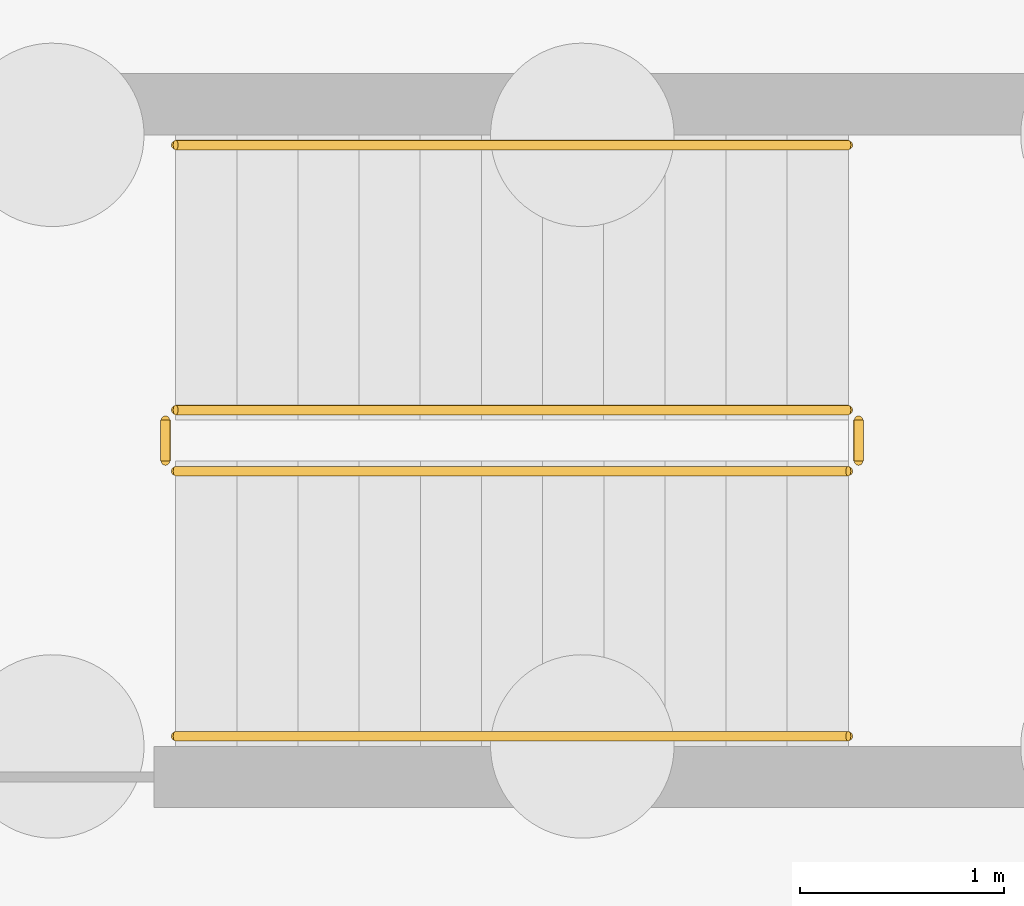
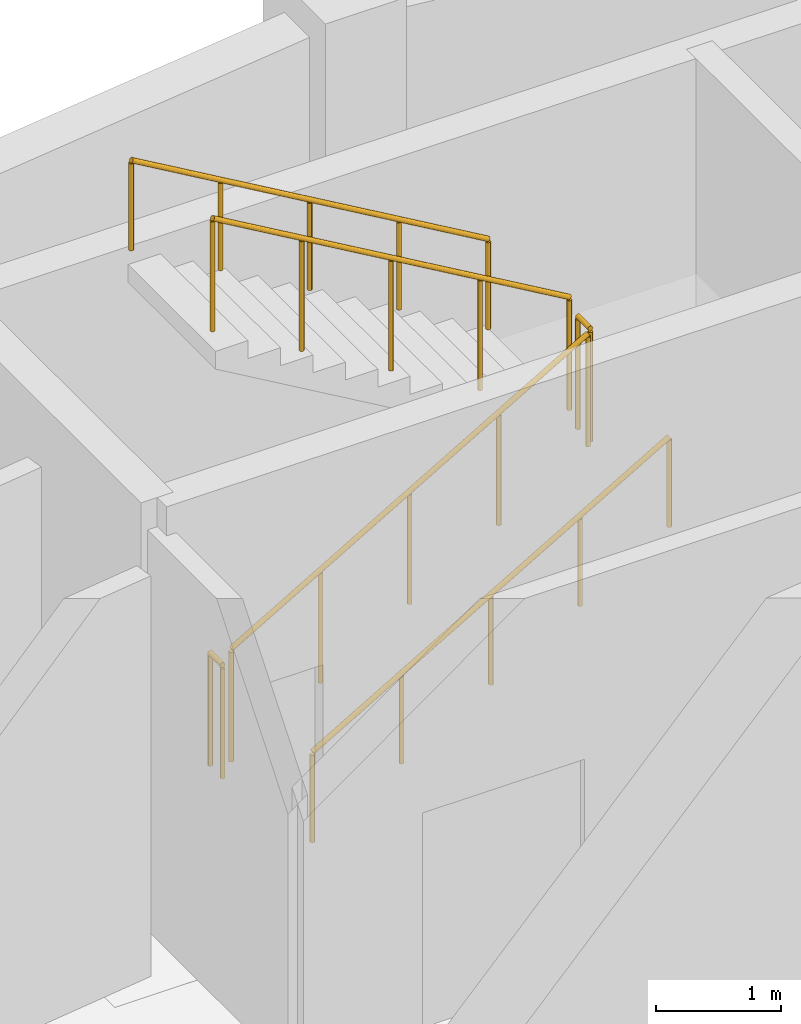
# One storey, part 40 of 43: 6 railings.
"""IFC4 building model written with IfcOpenShell, lengths in metres."""

from ifc_helpers import new_model, si_unit, direction, frame, origin, origin_2d, place, context, subcontext, project, spatial, circle, extrude, material, type_object, element, save


model = new_model("IFC4")

# Units and contexts
model_context = context("Model", 3, precision=1e-05, world=origin(), true_north=direction((0.0, 1.0)))
body_context = subcontext(model_context, "Body", "Model", "MODEL_VIEW")
ifc_project = project(units=[si_unit("LENGTHUNIT", "METRE"), si_unit("AREAUNIT", "SQUARE_METRE"), si_unit("VOLUMEUNIT", "CUBIC_METRE"), si_unit("PLANEANGLEUNIT", "RADIAN"), si_unit("MASSUNIT", "GRAM", prefix="KILO")], contexts=[model_context])

# Site, building, storey
site_placement = place(None, origin())
site = spatial("IfcSite", under=ifc_project, at=site_placement, CompositionType="ELEMENT")
building_placement = place(site_placement, origin())
building = spatial("IfcBuilding", under=site, at=building_placement, Name="Vespera Passage Community Centre", CompositionType="ELEMENT")
storey_placement = place(building_placement, frame((0.0, 0.0, -4.199951171875)))
storey = spatial("IfcBuildingStorey", under=building, at=storey_placement, Name="B1", CompositionType="ELEMENT", Elevation=-4.199951171875)

# Railings
ifc_material_1 = material(Name="Steel ASTM A500 Grade C", Category="steel")
railing_type_1 = type_object("IfcRailingType", Name="RL-HAND-900I", PredefinedType="HANDRAIL", material=ifc_material_1)
railing_1_placement = place(storey_placement, frame((74.705078125, 106.25, 0.175048828125)))
element("IfcRailing", 1, at=railing_1_placement, inside=storey, type_object=railing_type_1, Name="B1 ST06 stair handrail 1", PredefinedType="HANDRAIL", context=body_context, shape_type="SweptSolid", body=[
    extrude(circle(Radius=0.02392578125, at=origin_2d()), frame((0.0, 0.0, 0.8759765625), z_axis=(0.863788172461, 0.0, 0.503855131081), x_axis=(0.0, 1.0, 0.0)), (0.0, 0.0, 1.0), 3.820068359375),
    extrude(circle(Radius=0.02099609375, at=origin_2d()), origin(), (0.0, 0.0, 1.0), 0.851806640625),
    extrude(circle(Radius=0.02099609375, at=origin_2d()), frame((0.824951171875, 0.0, 0.481201171875)), (0.0, 0.0, 1.0), 0.851806640625),
    extrude(circle(Radius=0.02099609375, at=origin_2d()), frame((1.64990234375, 0.0, 0.96240234375)), (0.0, 0.0, 1.0), 0.851806640625),
    extrude(circle(Radius=0.02099609375, at=origin_2d()), frame((2.474853515625, 0.0, 1.443603515625)), (0.0, 0.0, 1.0), 0.851806640625),
    extrude(circle(Radius=0.02099609375, at=origin_2d()), frame((3.2998046875, 0.0, 1.9248046875)), (0.0, 0.0, 1.0), 0.851806640625),
])
railing_2_placement = place(storey_placement, frame((78.0048828125, 109.14990234375, 2.27490234375)))
element("IfcRailing", 2, at=railing_2_placement, inside=storey, type_object=railing_type_1, Name="B1 ST06 stair handrail 2", PredefinedType="HANDRAIL", context=body_context, shape_type="SweptSolid", body=[
    extrude(circle(Radius=0.02392578125, at=origin_2d()), frame((0.0, 0.0, 0.8759765625), z_axis=(-0.863760357493, 0.0, 0.503902812876), x_axis=(0.0, -1.0, 0.0)), (0.0, 0.0, 1.0), 3.8203125),
    extrude(circle(Radius=0.02099609375, at=origin_2d()), origin(), (0.0, 0.0, 1.0), 0.851806640625),
    extrude(circle(Radius=0.02099609375, at=origin_2d()), frame((-0.824951171875, 0.0, 0.481201171875)), (0.0, 0.0, 1.0), 0.851806640625),
    extrude(circle(Radius=0.02099609375, at=origin_2d()), frame((-1.64990234375, 0.0, 0.96240234375)), (0.0, 0.0, 1.0), 0.851806640625),
    extrude(circle(Radius=0.02099609375, at=origin_2d()), frame((-2.474853515625, 0.0, 1.44384765625)), (0.0, 0.0, 1.0), 0.851806640625),
    extrude(circle(Radius=0.02099609375, at=origin_2d()), frame((-3.2998046875, 0.0, 1.925048828125)), (0.0, 0.0, 1.0), 0.851806640625),
])
ifc_material_2 = material(Name="Steel ASTM A500 Grade C", Category="steel")
railing_type_2 = type_object("IfcRailingType", Name="RL-STAIR-1100I", PredefinedType="GUARDRAIL", material=ifc_material_2)
railing_3_placement = place(storey_placement, frame((74.705078125, 107.550048828125, 0.175048828125)))
element("IfcRailing", 3, at=railing_3_placement, inside=storey, type_object=railing_type_2, Name="B1 ST06 stair guard 1", PredefinedType="GUARDRAIL", context=body_context, shape_type="SweptSolid", body=[
    extrude(circle(Radius=0.02392578125, at=origin_2d()), frame((0.0, 0.0, 1.09619140625), z_axis=(0.863788172461, 0.0, 0.503855131081), x_axis=(0.0, 1.0, 0.0)), (0.0, 0.0, 1.0), 3.820068359375),
    extrude(circle(Radius=0.02099609375, at=origin_2d()), origin(), (0.0, 0.0, 1.0), 1.072021484375),
    extrude(circle(Radius=0.02099609375, at=origin_2d()), frame((0.824951171875, 0.0, 0.481201171875)), (0.0, 0.0, 1.0), 1.072021484375),
    extrude(circle(Radius=0.02099609375, at=origin_2d()), frame((1.64990234375, 0.0, 0.96240234375)), (0.0, 0.0, 1.0), 1.072021484375),
    extrude(circle(Radius=0.02099609375, at=origin_2d()), frame((2.474853515625, 0.0, 1.443603515625)), (0.0, 0.0, 1.0), 1.072021484375),
    extrude(circle(Radius=0.02099609375, at=origin_2d()), frame((3.2998046875, 0.0, 1.9248046875)), (0.0, 0.0, 1.0), 1.072021484375),
])
railing_4_placement = place(storey_placement, frame((78.054931640625, 107.60009765625, 2.099853515625)))
element("IfcRailing", 4, at=railing_4_placement, inside=storey, type_object=railing_type_2, Name="B1 ST06 stair guard 2", PredefinedType="GUARDRAIL", context=body_context, shape_type="SweptSolid", body=[
    extrude(circle(Radius=0.02392578125, at=origin_2d()), frame((0.0, 0.0, 1.09619140625), z_axis=(0.0, 1.0, 0.0), x_axis=(-1.0, 0.0, 0.0)), (0.0, 0.0, 1.0), 0.199951171875),
    extrude(circle(Radius=0.02099609375, at=origin_2d()), origin(), (0.0, 0.0, 1.0), 1.072021484375),
    extrude(circle(Radius=0.02099609375, at=origin_2d()), frame((0.0, 0.199951171875, 0.0)), (0.0, 0.0, 1.0), 1.072021484375),
])
railing_5_placement = place(storey_placement, frame((78.0048828125, 107.85009765625, 2.27490234375)))
element("IfcRailing", 5, at=railing_5_placement, inside=storey, type_object=railing_type_2, Name="B1 ST06 stair guard 3", PredefinedType="GUARDRAIL", context=body_context, shape_type="SweptSolid", body=[
    extrude(circle(Radius=0.02392578125, at=origin_2d()), frame((0.0, 0.0, 1.09619140625), z_axis=(-0.863760357493, 0.0, 0.503902812876), x_axis=(0.0, -1.0, 0.0)), (0.0, 0.0, 1.0), 3.8203125),
    extrude(circle(Radius=0.02099609375, at=origin_2d()), origin(), (0.0, 0.0, 1.0), 1.072021484375),
    extrude(circle(Radius=0.02099609375, at=origin_2d()), frame((-0.824951171875, 0.0, 0.481201171875)), (0.0, 0.0, 1.0), 1.072021484375),
    extrude(circle(Radius=0.02099609375, at=origin_2d()), frame((-1.64990234375, 0.0, 0.96240234375)), (0.0, 0.0, 1.0), 1.072021484375),
    extrude(circle(Radius=0.02099609375, at=origin_2d()), frame((-2.474853515625, 0.0, 1.44384765625)), (0.0, 0.0, 1.0), 1.072021484375),
    extrude(circle(Radius=0.02099609375, at=origin_2d()), frame((-3.2998046875, 0.0, 1.925048828125)), (0.0, 0.0, 1.0), 1.072021484375),
])
railing_6_placement = place(storey_placement, frame((74.655029296875, 107.60009765625, 0.0)))
element("IfcRailing", 6, at=railing_6_placement, inside=storey, type_object=railing_type_2, Name="B1 ST06 stair guard 4", PredefinedType="GUARDRAIL", context=body_context, shape_type="SweptSolid", body=[
    extrude(circle(Radius=0.02392578125, at=origin_2d()), frame((0.0, 0.0, 1.09619140625), z_axis=(0.0, 1.0, 0.0), x_axis=(-1.0, 0.0, 0.0)), (0.0, 0.0, 1.0), 0.199951171875),
    extrude(circle(Radius=0.02099609375, at=origin_2d()), origin(), (0.0, 0.0, 1.0), 1.072021484375),
    extrude(circle(Radius=0.02099609375, at=origin_2d()), frame((0.0, 0.199951171875, 0.0)), (0.0, 0.0, 1.0), 1.072021484375),
])

save(model, "model.ifc")
